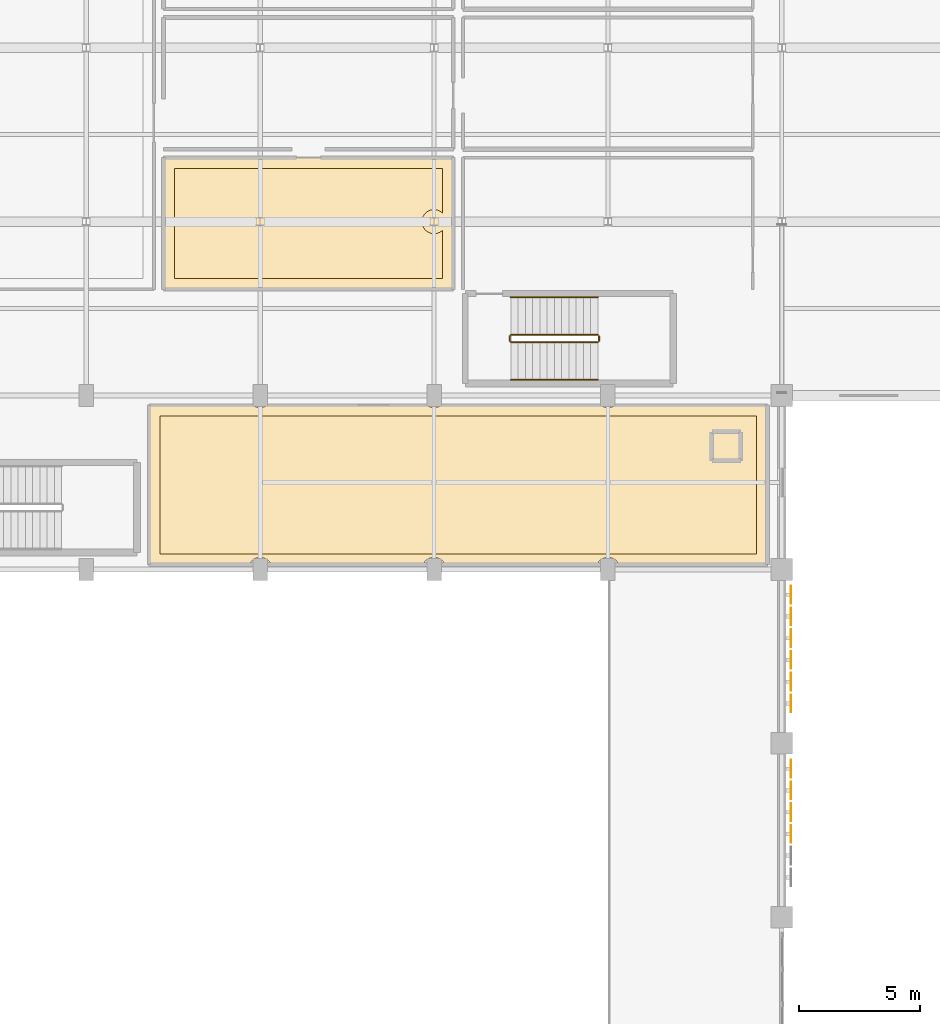
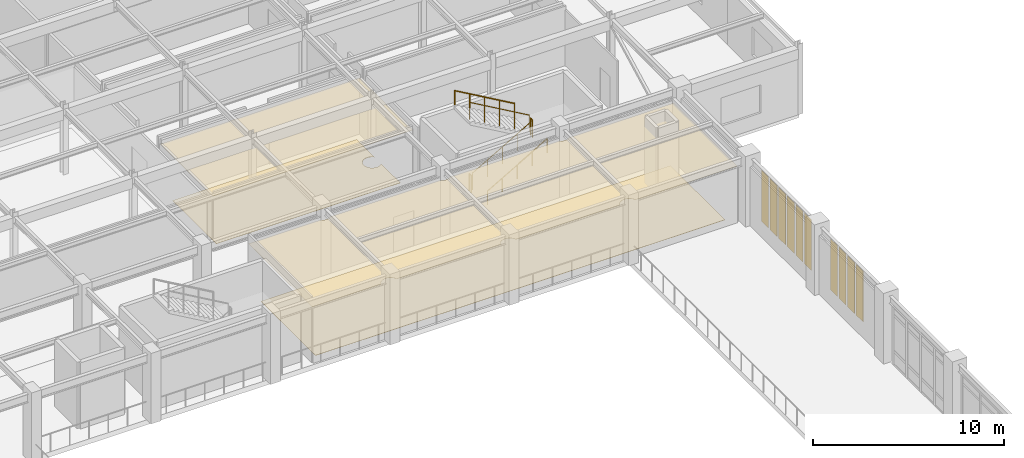
# One storey, part 97 of 106: 14 coverings, 6 railings.
"""IFC4 building model written with IfcOpenShell, lengths in metres."""

from ifc_helpers import new_model, si_unit, direction, frame, origin, origin_2d, place, context, subcontext, project, spatial, polyline, rectangle, circle, outline, extrude, material, layer, layer_set, type_object, element, save


model = new_model("IFC4")

# Units and contexts
model_context = context("Model", 3, precision=1e-05, world=origin(), true_north=direction((0.0, 1.0)))
body_context = subcontext(model_context, "Body", "Model", "MODEL_VIEW")
ifc_project = project(units=[si_unit("LENGTHUNIT", "METRE"), si_unit("AREAUNIT", "SQUARE_METRE"), si_unit("VOLUMEUNIT", "CUBIC_METRE"), si_unit("PLANEANGLEUNIT", "RADIAN"), si_unit("MASSUNIT", "GRAM", prefix="KILO")], contexts=[model_context])

# Site, building, storey
site_placement = place(None, origin())
site = spatial("IfcSite", under=ifc_project, at=site_placement, CompositionType="ELEMENT")
building_placement = place(site_placement, origin())
building = spatial("IfcBuilding", under=site, at=building_placement, Name="Carrowvane Square Congress Hotel", CompositionType="ELEMENT")
storey_placement = place(building_placement, frame((0.0, 0.0, 10.5)))
storey = spatial("IfcBuildingStorey", under=building, at=storey_placement, Name="L02", CompositionType="ELEMENT", Elevation=10.5)

# Coverings
ifc_material_1 = material(Name="Acoustic gypsum board", Category="gypsum")
ifc_layer_1 = layer(ifc_material_1, 0.014892578125)
ifc_layer_set_1 = layer_set([ifc_layer_1], Name="Acoustic gypsum board")
covering_type_1 = type_object("IfcCoveringType", Name="COV-CLG-AC15", PredefinedType="CEILING", material=ifc_layer_set_1)
covering_1_placement = place(storey_placement, frame((0.0, 0.0, 3.554931640625)))
element("IfcCovering", 1, at=covering_1_placement, inside=storey, type_object=covering_type_1, Name="L02 Plenary Acoustic and Lighting Gallery acoustic ceiling", PredefinedType="CEILING", context=body_context, shape_type="SweptSolid", body=[
    extrude(outline(polyline([(61.41845703125, 48.792236328125), (61.41748046875, 48.79052734375), (61.41650390625, 48.788818359375), (61.41552734375, 48.787353515625), (61.4140625, 48.785888671875), (61.41259765625, 48.784423828125), (61.4111328125, 48.783447265625), (61.409423828125, 48.782470703125), (61.40771484375, 48.781494140625), (61.40576171875, 48.781005859375), (61.40380859375, 48.780517578125), (61.402099609375, 48.780029296875), (61.39990234375, 48.780029296875), (55.26611328125, 48.780029296875), (55.261962890625, 48.791259765625), (55.240966796875, 48.835693359375), (55.2158203125, 48.877685546875), (55.1865234375, 48.917236328125), (55.153564453125, 48.95361328125), (55.1171875, 48.986572265625), (55.077880859375, 49.015625), (55.03564453125, 49.041015625), (54.9912109375, 49.06201171875), (54.945068359375, 49.07861328125), (54.8974609375, 49.09033203125), (54.84912109375, 49.09765625), (54.800048828125, 49.10009765625), (54.7509765625, 49.09765625), (54.702392578125, 49.09033203125), (54.65478515625, 49.07861328125), (54.608642578125, 49.06201171875), (54.564208984375, 49.041015625), (54.522216796875, 49.015625), (54.48291015625, 48.986572265625), (54.4462890625, 48.95361328125), (54.41357421875, 48.917236328125), (54.38427734375, 48.877685546875), (54.35888671875, 48.835693359375), (54.338134765625, 48.791259765625), (54.333984375, 48.780029296875), (48.06591796875, 48.780029296875), (48.06201171875, 48.791259765625), (48.041015625, 48.835693359375), (48.015625, 48.877685546875), (47.986572265625, 48.917236328125), (47.95361328125, 48.95361328125), (47.917236328125, 48.986572265625), (47.877685546875, 49.015625), (47.835693359375, 49.041015625), (47.791259765625, 49.06201171875), (47.7451171875, 49.07861328125), (47.697509765625, 49.09033203125), (47.64892578125, 49.09765625), (47.60009765625, 49.10009765625), (47.551025390625, 49.09765625), (47.50244140625, 49.09033203125), (47.454833984375, 49.07861328125), (47.40869140625, 49.06201171875), (47.3642578125, 49.041015625), (47.322265625, 49.015625), (47.28271484375, 48.986572265625), (47.246337890625, 48.95361328125), (47.21337890625, 48.917236328125), (47.184326171875, 48.877685546875), (47.158935546875, 48.835693359375), (47.13818359375, 48.791259765625), (47.134033203125, 48.780029296875), (40.865966796875, 48.780029296875), (40.86181640625, 48.791259765625), (40.841064453125, 48.835693359375), (40.815673828125, 48.877685546875), (40.78662109375, 48.917236328125), (40.753662109375, 48.95361328125), (40.71728515625, 48.986572265625), (40.677734375, 49.015625), (40.6357421875, 49.041015625), (40.59130859375, 49.06201171875), (40.545166015625, 49.07861328125), (40.49755859375, 49.09033203125), (40.448974609375, 49.09765625), (40.39990234375, 49.10009765625), (40.35107421875, 49.09765625), (40.302490234375, 49.09033203125), (40.2548828125, 49.07861328125), (40.208740234375, 49.06201171875), (40.164306640625, 49.041015625), (40.122314453125, 49.015625), (40.082763671875, 48.986572265625), (40.04638671875, 48.95361328125), (40.013427734375, 48.917236328125), (39.984375, 48.877685546875), (39.958984375, 48.835693359375), (39.93798828125, 48.791259765625), (39.93408203125, 48.780029296875), (35.800048828125, 48.780029296875), (35.798095703125, 48.780029296875), (35.796142578125, 48.780517578125), (35.794189453125, 48.781005859375), (35.792236328125, 48.781494140625), (35.79052734375, 48.782470703125), (35.788818359375, 48.783447265625), (35.787353515625, 48.784423828125), (35.785888671875, 48.785888671875), (35.784423828125, 48.787353515625), (35.783447265625, 48.788818359375), (35.782470703125, 48.79052734375), (35.781494140625, 48.792236328125), (35.781005859375, 48.794189453125), (35.780517578125, 48.796142578125), (35.780029296875, 48.798095703125), (35.780029296875, 48.800048828125), (35.780029296875, 55.39990234375), (35.780029296875, 55.402099609375), (35.780517578125, 55.40380859375), (35.781005859375, 55.40576171875), (35.781494140625, 55.40771484375), (35.782470703125, 55.409423828125), (35.783447265625, 55.4111328125), (35.784423828125, 55.41259765625), (35.785888671875, 55.4140625), (35.787353515625, 55.41552734375), (35.788818359375, 55.41650390625), (35.79052734375, 55.41748046875), (35.792236328125, 55.41845703125), (35.794189453125, 55.419189453125), (35.796142578125, 55.419677734375), (35.798095703125, 55.419921875), (35.800048828125, 55.419921875), (40.07568359375, 55.419921875), (40.082763671875, 55.41357421875), (40.122314453125, 55.38427734375), (40.164306640625, 55.35888671875), (40.208740234375, 55.338134765625), (40.2548828125, 55.321533203125), (40.302490234375, 55.3095703125), (40.35107421875, 55.302490234375), (40.39990234375, 55.300048828125), (40.448974609375, 55.302490234375), (40.49755859375, 55.3095703125), (40.545166015625, 55.321533203125), (40.59130859375, 55.338134765625), (40.6357421875, 55.35888671875), (40.677734375, 55.38427734375), (40.71728515625, 55.41357421875), (40.724365234375, 55.419921875), (47.275634765625, 55.419921875), (47.28271484375, 55.41357421875), (47.322265625, 55.38427734375), (47.3642578125, 55.35888671875), (47.40869140625, 55.338134765625), (47.454833984375, 55.321533203125), (47.50244140625, 55.3095703125), (47.551025390625, 55.302490234375), (47.60009765625, 55.300048828125), (47.64892578125, 55.302490234375), (47.697509765625, 55.3095703125), (47.7451171875, 55.321533203125), (47.791259765625, 55.338134765625), (47.835693359375, 55.35888671875), (47.877685546875, 55.38427734375), (47.917236328125, 55.41357421875), (47.92431640625, 55.419921875), (54.4755859375, 55.419921875), (54.48291015625, 55.41357421875), (54.522216796875, 55.38427734375), (54.564208984375, 55.35888671875), (54.608642578125, 55.338134765625), (54.65478515625, 55.321533203125), (54.702392578125, 55.3095703125), (54.7509765625, 55.302490234375), (54.800048828125, 55.300048828125), (54.84912109375, 55.302490234375), (54.8974609375, 55.3095703125), (54.945068359375, 55.321533203125), (54.9912109375, 55.338134765625), (55.03564453125, 55.35888671875), (55.077880859375, 55.38427734375), (55.1171875, 55.41357421875), (55.12451171875, 55.419921875), (61.39990234375, 55.419921875), (61.402099609375, 55.419921875), (61.40380859375, 55.419677734375), (61.40576171875, 55.419189453125), (61.40771484375, 55.41845703125), (61.409423828125, 55.41748046875), (61.4111328125, 55.41650390625), (61.41259765625, 55.41552734375), (61.4140625, 55.4140625), (61.41552734375, 55.41259765625), (61.41650390625, 55.4111328125), (61.41748046875, 55.409423828125), (61.41845703125, 55.40771484375), (61.419189453125, 55.40576171875), (61.419677734375, 55.40380859375), (61.419921875, 55.402099609375), (61.419921875, 55.39990234375), (61.419921875, 48.800048828125), (61.419921875, 48.798095703125), (61.419677734375, 48.796142578125), (61.419189453125, 48.794189453125), (61.41845703125, 48.792236328125)])), origin(), (0.0, 0.0, 1.0), 0.01513671875),
])
covering_2_placement = place(storey_placement, frame((0.0, 0.0, 3.489990234375)))
element("IfcCovering", 2, at=covering_2_placement, inside=storey, type_object=covering_type_1, Name="L02 Holistic Spa Suite 201 acoustic ceiling", PredefinedType="CEILING", context=body_context, shape_type="SweptSolid", body=[
    extrude(outline(polyline([(48.419921875, 60.199951171875), (48.419921875, 60.197998046875), (48.419677734375, 60.196044921875), (48.419189453125, 60.194091796875), (48.41845703125, 60.1923828125), (48.41748046875, 60.190673828125), (48.41650390625, 60.18896484375), (48.41552734375, 60.187255859375), (48.4140625, 60.185791015625), (48.41259765625, 60.1845703125), (48.4111328125, 60.183349609375), (48.409423828125, 60.182373046875), (48.40771484375, 60.181396484375), (48.40576171875, 60.180908203125), (48.40380859375, 60.180419921875), (48.402099609375, 60.18017578125), (48.39990234375, 60.179931640625), (36.39990234375, 60.179931640625), (36.39794921875, 60.18017578125), (36.39599609375, 60.180419921875), (36.394287109375, 60.180908203125), (36.392333984375, 60.181396484375), (36.390625, 60.182373046875), (36.388916015625, 60.183349609375), (36.38720703125, 60.1845703125), (36.385986328125, 60.185791015625), (36.384521484375, 60.187255859375), (36.38330078125, 60.18896484375), (36.38232421875, 60.190673828125), (36.381591796875, 60.1923828125), (36.380859375, 60.194091796875), (36.38037109375, 60.196044921875), (36.380126953125, 60.197998046875), (36.3798828125, 60.199951171875), (36.3798828125, 65.64990234375), (36.380126953125, 65.652099609375), (36.38037109375, 65.65380859375), (36.380859375, 65.65576171875), (36.381591796875, 65.65771484375), (36.38232421875, 65.659423828125), (36.38330078125, 65.6611328125), (36.384521484375, 65.66259765625), (36.385986328125, 65.6640625), (36.38720703125, 65.66552734375), (36.388916015625, 65.66650390625), (36.390625, 65.66748046875), (36.392333984375, 65.66845703125), (36.394287109375, 65.669189453125), (36.39599609375, 65.669677734375), (36.39794921875, 65.669921875), (36.39990234375, 65.669921875), (48.39990234375, 65.669921875), (48.402099609375, 65.669921875), (48.40380859375, 65.669677734375), (48.40576171875, 65.669189453125), (48.40771484375, 65.66845703125), (48.409423828125, 65.66748046875), (48.4111328125, 65.66650390625), (48.41259765625, 65.66552734375), (48.4140625, 65.6640625), (48.41552734375, 65.66259765625), (48.41650390625, 65.6611328125), (48.41748046875, 65.659423828125), (48.41845703125, 65.65771484375), (48.419189453125, 65.65576171875), (48.419677734375, 65.65380859375), (48.419921875, 65.652099609375), (48.419921875, 65.64990234375), (48.419921875, 60.199951171875)])), origin(), (0.0, 0.0, 1.0), 0.014892578125),
])
ifc_material_2 = material(Name="European oak timber", Category="wood")
ifc_layer_2 = layer(ifc_material_2, 0.01806640625)
ifc_layer_set_2 = layer_set([ifc_layer_2], Name="European oak timber")
covering_type_2 = type_object("IfcCoveringType", Name="COV-FLR-OAK18", PredefinedType="FLOORING", material=ifc_layer_set_2)
covering_3_placement = place(storey_placement, origin())
element("IfcCovering", 3, at=covering_3_placement, inside=storey, type_object=covering_type_2, Name="L02 Plenary Acoustic and Lighting Gallery floor finish", PredefinedType="FLOORING", context=body_context, shape_type="SweptSolid", body=[
    extrude(outline(polyline([(54.800048828125, 49.25), (47.60009765625, 49.25), (40.39990234375, 49.25), (36.25, 49.25), (36.25, 54.949951171875), (60.949951171875, 54.949951171875), (60.949951171875, 49.25), (54.800048828125, 49.25)])), origin(), (0.0, 0.0, 1.0), 0.01806640625),
])
covering_4_placement = place(storey_placement, origin())
element("IfcCovering", 4, at=covering_4_placement, inside=storey, type_object=covering_type_2, Name="L02 Holistic Spa Suite 201 floor finish", PredefinedType="FLOORING", context=body_context, shape_type="SweptSolid", body=[
    extrude(outline(polyline([(47.64892578125, 62.50244140625), (47.697509765625, 62.509521484375), (47.7451171875, 62.521484375), (47.791259765625, 62.5380859375), (47.835693359375, 62.55908203125), (47.877685546875, 62.584228515625), (47.917236328125, 62.613525390625), (47.949951171875, 62.643310546875), (47.949951171875, 60.64990234375), (36.85009765625, 60.64990234375), (36.85009765625, 65.199951171875), (47.949951171875, 65.199951171875), (47.949951171875, 63.356689453125), (47.917236328125, 63.386474609375), (47.877685546875, 63.415771484375), (47.835693359375, 63.44091796875), (47.791259765625, 63.4619140625), (47.7451171875, 63.478515625), (47.697509765625, 63.490478515625), (47.64892578125, 63.49755859375), (47.60009765625, 63.5), (47.551025390625, 63.49755859375), (47.50244140625, 63.490478515625), (47.454833984375, 63.478515625), (47.40869140625, 63.4619140625), (47.3642578125, 63.44091796875), (47.322265625, 63.415771484375), (47.28271484375, 63.386474609375), (47.246337890625, 63.353515625), (47.21337890625, 63.317138671875), (47.184326171875, 63.27783203125), (47.158935546875, 63.235595703125), (47.13818359375, 63.19140625), (47.12158203125, 63.14501953125), (47.109619140625, 63.097412109375), (47.102294921875, 63.049072265625), (47.10009765625, 63.0), (47.102294921875, 62.950927734375), (47.109619140625, 62.902587890625), (47.12158203125, 62.85498046875), (47.13818359375, 62.80859375), (47.158935546875, 62.764404296875), (47.184326171875, 62.72216796875), (47.21337890625, 62.682861328125), (47.246337890625, 62.646484375), (47.28271484375, 62.613525390625), (47.322265625, 62.584228515625), (47.3642578125, 62.55908203125), (47.40869140625, 62.5380859375), (47.454833984375, 62.521484375), (47.50244140625, 62.509521484375), (47.551025390625, 62.50244140625), (47.60009765625, 62.5), (47.64892578125, 62.50244140625)])), origin(), (0.0, 0.0, 1.0), 0.01806640625),
])
ifc_material_3 = material(Name="Champagne-gold anodised aluminium", Category="aluminium")
ifc_layer_3 = layer(ifc_material_3, 0.011962890625)
ifc_layer_set_3 = layer_set([ifc_layer_3], Name="Champagne-gold anodised aluminium")
covering_type_3 = type_object("IfcCoveringType", Name="COV-SCR-GOLD12", PredefinedType="CLADDING", material=ifc_layer_set_3)
for number, where, z_axis, x_axis, name in (
    (5, (62.381103515625, 47.550048828125, 0.25), (0.0, 0.0, 1.0), (0.0, -1.0, 0.0), "Champagne-gold perforated screen panel 166"),
    (6, (62.381103515625, 46.64990234375, 0.25), (0.0, 0.0, 1.0), (0.0, -1.0, 0.0), "Champagne-gold perforated screen panel 167"),
    (7, (62.381103515625, 45.75, 0.25), (0.0, 0.0, 1.0), (0.0, -1.0, 0.0), "Champagne-gold perforated screen panel 168"),
    (8, (62.381103515625, 44.85009765625, 0.25), (0.0, 0.0, 1.0), (0.0, -1.0, 0.0), "Champagne-gold perforated screen panel 169"),
    (9, (62.381103515625, 43.949951171875, 0.25), (0.0, 0.0, 1.0), (0.0, -1.0, 0.0), "Champagne-gold perforated screen panel 170"),
    (10, (62.381103515625, 43.050048828125, 0.25), (0.0, 0.0, 1.0), (0.0, -1.0, 0.0), "Champagne-gold perforated screen panel 171"),
    (11, (62.381103515625, 40.35009765625, 0.25), (0.0, 0.0, 1.0), (0.0, -1.0, 0.0), "Champagne-gold perforated screen panel 172"),
    (12, (62.381103515625, 39.449951171875, 0.25), (0.0, 0.0, 1.0), (0.0, -1.0, 0.0), "Champagne-gold perforated screen panel 173"),
    (13, (62.381103515625, 38.550048828125, 0.25), (0.0, 0.0, 1.0), (0.0, -1.0, 0.0), "Champagne-gold perforated screen panel 174"),
    (14, (62.381103515625, 37.64990234375, 0.25), (0.0, 0.0, 1.0), (0.0, -1.0, 0.0), "Champagne-gold perforated screen panel 175"),
):
    element("IfcCovering", number, at=place(storey_placement, frame(where, z_axis=z_axis, x_axis=x_axis)), inside=storey, type_object=covering_type_3, Name=name, PredefinedType="CLADDING", context=body_context, shape_type="SweptSolid", body=[
        extrude(rectangle(XDim=0.738037109375, YDim=0.011962890625, at=origin_2d()), origin(), (0.0, 0.0, 1.0), 3.2451171875),
    ])

# Railings
ifc_material_4 = material(Name="Stainless steel 316", Category="steel")
ifc_layer_4 = layer(ifc_material_4, 0.048095703125)
ifc_layer_set_4 = layer_set([ifc_layer_4], Name="Stainless steel 316")
railing_type_1 = type_object("IfcRailingType", Name="RLG-HR-900", PredefinedType="HANDRAIL", material=ifc_layer_set_4)
railing_1_placement = place(storey_placement, frame((50.780029296875, 56.449951171875, 0.173095703125)))
element("IfcRailing", 15, at=railing_1_placement, inside=storey, type_object=railing_type_1, Name="L02 ST7 stair handrail 1", PredefinedType="HANDRAIL", context=body_context, shape_type="SweptSolid", body=[
    extrude(circle(Radius=0.02392578125, at=origin_2d()), frame((0.0, 0.0, 0.8759765625), z_axis=(0.866178740119, 0.0, 0.499734319579), x_axis=(0.0, 1.0, 0.0)), (0.0, 0.0, 1.0), 4.156005859375),
    extrude(circle(Radius=0.02099609375, at=origin_2d()), origin(), (0.0, 0.0, 1.0), 0.851806640625),
    extrude(circle(Radius=0.02099609375, at=origin_2d()), frame((0.89990234375, 0.0, 0.519287109375)), (0.0, 0.0, 1.0), 0.851806640625),
    extrude(circle(Radius=0.02099609375, at=origin_2d()), frame((1.7998046875, 0.0, 1.03857421875)), (0.0, 0.0, 1.0), 0.851806640625),
    extrude(circle(Radius=0.02099609375, at=origin_2d()), frame((2.699951171875, 0.0, 1.5576171875)), (0.0, 0.0, 1.0), 0.851806640625),
    extrude(circle(Radius=0.02099609375, at=origin_2d()), frame((3.599853515625, 0.0, 2.076904296875)), (0.0, 0.0, 1.0), 0.851806640625),
])
railing_2_placement = place(storey_placement, frame((54.3798828125, 59.8701171875, 2.423095703125)))
element("IfcRailing", 16, at=railing_2_placement, inside=storey, type_object=railing_type_1, Name="L02 ST7 stair handrail 2", PredefinedType="HANDRAIL", context=body_context, shape_type="SweptSolid", body=[
    extrude(circle(Radius=0.02392578125, at=origin_2d()), frame((0.0, 0.0, 0.8759765625), z_axis=(-0.866178740119, 0.0, 0.499734319579), x_axis=(0.0, -1.0, 0.0)), (0.0, 0.0, 1.0), 4.156005859375),
    extrude(circle(Radius=0.02099609375, at=origin_2d()), origin(), (0.0, 0.0, 1.0), 0.851806640625),
    extrude(circle(Radius=0.02099609375, at=origin_2d()), frame((-0.89990234375, 0.0, 0.519287109375)), (0.0, 0.0, 1.0), 0.851806640625),
    extrude(circle(Radius=0.02099609375, at=origin_2d()), frame((-1.7998046875, 0.0, 1.03857421875)), (0.0, 0.0, 1.0), 0.851806640625),
    extrude(circle(Radius=0.02099609375, at=origin_2d()), frame((-2.699951171875, 0.0, 1.5576171875)), (0.0, 0.0, 1.0), 0.851806640625),
    extrude(circle(Radius=0.02099609375, at=origin_2d()), frame((-3.599853515625, 0.0, 2.076904296875)), (0.0, 0.0, 1.0), 0.851806640625),
])
ifc_material_5 = material(Name="Galvanised steel", Category="steel")
ifc_layer_5 = layer(ifc_material_5, 0.048095703125)
ifc_layer_set_5 = layer_set([ifc_layer_5], Name="Galvanised steel")
railing_type_2 = type_object("IfcRailingType", Name="RLG-STG-1100", PredefinedType="GUARDRAIL", material=ifc_layer_set_5)
railing_3_placement = place(storey_placement, frame((50.780029296875, 58.010009765625, 0.173095703125)))
element("IfcRailing", 17, at=railing_3_placement, inside=storey, type_object=railing_type_2, Name="L02 ST7 stair guard 1", PredefinedType="GUARDRAIL", context=body_context, shape_type="SweptSolid", body=[
    extrude(circle(Radius=0.02392578125, at=origin_2d()), frame((0.0, 0.0, 1.076171875), z_axis=(0.866178740119, 0.0, 0.499734319579), x_axis=(0.0, 1.0, 0.0)), (0.0, 0.0, 1.0), 4.156005859375),
    extrude(circle(Radius=0.02099609375, at=origin_2d()), origin(), (0.0, 0.0, 1.0), 1.052001953125),
    extrude(circle(Radius=0.02099609375, at=origin_2d()), frame((0.89990234375, 0.0, 0.519287109375)), (0.0, 0.0, 1.0), 1.052001953125),
    extrude(circle(Radius=0.02099609375, at=origin_2d()), frame((1.7998046875, 0.0, 1.03857421875)), (0.0, 0.0, 1.0), 1.052001953125),
    extrude(circle(Radius=0.02099609375, at=origin_2d()), frame((2.699951171875, 0.0, 1.5576171875)), (0.0, 0.0, 1.0), 1.052001953125),
    extrude(circle(Radius=0.02099609375, at=origin_2d()), frame((3.599853515625, 0.0, 2.076904296875)), (0.0, 0.0, 1.0), 1.052001953125),
])
railing_4_placement = place(storey_placement, frame((54.429931640625, 58.06005859375, 2.25)))
element("IfcRailing", 18, at=railing_4_placement, inside=storey, type_object=railing_type_2, Name="L02 ST7 stair guard 2", PredefinedType="GUARDRAIL", context=body_context, shape_type="SweptSolid", body=[
    extrude(circle(Radius=0.02392578125, at=origin_2d()), frame((0.0, 0.0, 1.076171875), z_axis=(0.0, 1.0, 0.0), x_axis=(-1.0, 0.0, 0.0)), (0.0, 0.0, 1.0), 0.199951171875),
    extrude(circle(Radius=0.02099609375, at=origin_2d()), origin(), (0.0, 0.0, 1.0), 1.052001953125),
    extrude(circle(Radius=0.02099609375, at=origin_2d()), frame((0.0, 0.199951171875, 0.0)), (0.0, 0.0, 1.0), 1.052001953125),
])
railing_5_placement = place(storey_placement, frame((54.3798828125, 58.31005859375, 2.423095703125)))
element("IfcRailing", 19, at=railing_5_placement, inside=storey, type_object=railing_type_2, Name="L02 ST7 stair guard 3", PredefinedType="GUARDRAIL", context=body_context, shape_type="SweptSolid", body=[
    extrude(circle(Radius=0.02392578125, at=origin_2d()), frame((0.0, 0.0, 1.076171875), z_axis=(-0.866178740119, 0.0, 0.499734319579), x_axis=(0.0, -1.0, 0.0)), (0.0, 0.0, 1.0), 4.156005859375),
    extrude(circle(Radius=0.02099609375, at=origin_2d()), origin(), (0.0, 0.0, 1.0), 1.052001953125),
    extrude(circle(Radius=0.02099609375, at=origin_2d()), frame((-0.89990234375, 0.0, 0.519287109375)), (0.0, 0.0, 1.0), 1.052001953125),
    extrude(circle(Radius=0.02099609375, at=origin_2d()), frame((-1.7998046875, 0.0, 1.03857421875)), (0.0, 0.0, 1.0), 1.052001953125),
    extrude(circle(Radius=0.02099609375, at=origin_2d()), frame((-2.699951171875, 0.0, 1.5576171875)), (0.0, 0.0, 1.0), 1.052001953125),
    extrude(circle(Radius=0.02099609375, at=origin_2d()), frame((-3.599853515625, 0.0, 2.076904296875)), (0.0, 0.0, 1.0), 1.052001953125),
])
railing_6_placement = place(storey_placement, frame((50.72998046875, 58.06005859375, 0.0)))
element("IfcRailing", 20, at=railing_6_placement, inside=storey, type_object=railing_type_2, Name="L02 ST7 stair guard 4", PredefinedType="GUARDRAIL", context=body_context, shape_type="SweptSolid", body=[
    extrude(circle(Radius=0.02392578125, at=origin_2d()), frame((0.0, 0.0, 1.076171875), z_axis=(0.0, 1.0, 0.0), x_axis=(-1.0, 0.0, 0.0)), (0.0, 0.0, 1.0), 0.199951171875),
    extrude(circle(Radius=0.02099609375, at=origin_2d()), origin(), (0.0, 0.0, 1.0), 1.052001953125),
    extrude(circle(Radius=0.02099609375, at=origin_2d()), frame((0.0, 0.199951171875, 0.0)), (0.0, 0.0, 1.0), 1.052001953125),
])

save(model, "model.ifc")
